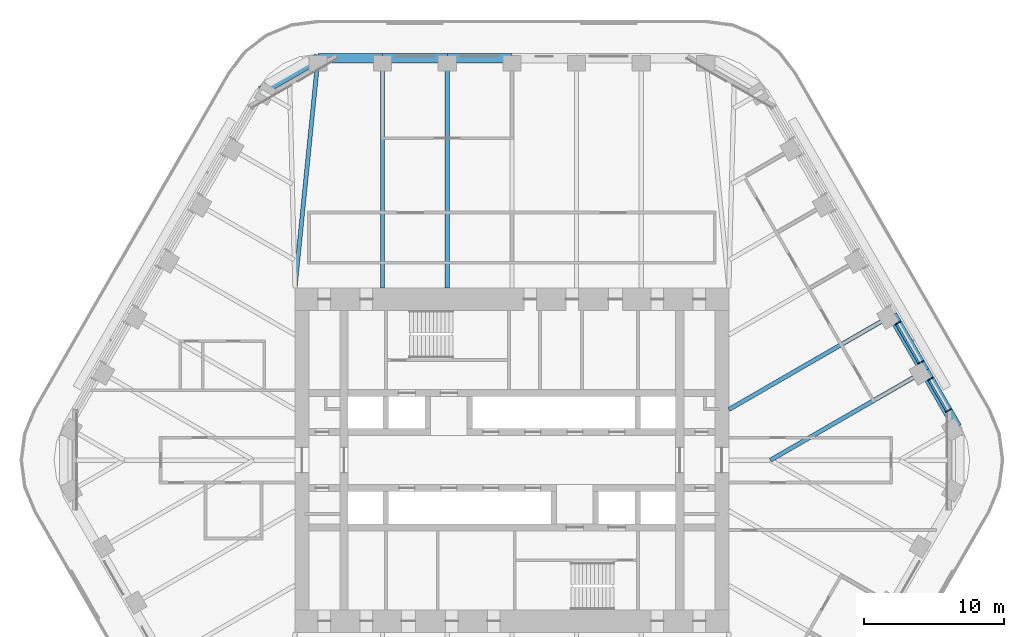
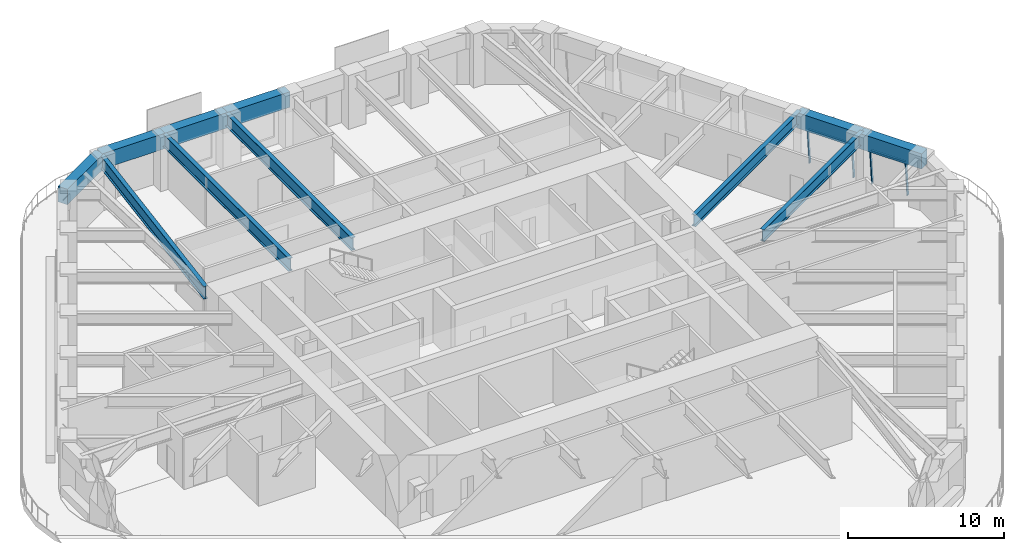
# One storey, part 9 of 20: 11 beams, 6 members, 2 elements without a shape of their own.
"""IFC4 building model written with IfcOpenShell, lengths in metres."""

from ifc_helpers import new_model, si_unit, direction, frame, origin, origin_2d, place, context, subcontext, project, spatial, rectangle, i_section, extrude, material, material_profile, profile_set, type_object, element, aggregate, save


model = new_model("IFC4")

# Units and contexts
model_context = context("Model", 3, precision=1e-05, world=origin(), true_north=direction((0.0, 1.0)))
body_context = subcontext(model_context, "Body", "Model", "MODEL_VIEW")
ifc_project = project(units=[si_unit("LENGTHUNIT", "METRE"), si_unit("AREAUNIT", "SQUARE_METRE"), si_unit("VOLUMEUNIT", "CUBIC_METRE"), si_unit("PLANEANGLEUNIT", "RADIAN"), si_unit("MASSUNIT", "GRAM", prefix="KILO")], contexts=[model_context])

# Site, building, storey
site_placement = place(None, origin())
site = spatial("IfcSite", under=ifc_project, at=site_placement, CompositionType="ELEMENT")
building_placement = place(site_placement, origin())
building = spatial("IfcBuilding", under=site, at=building_placement, Name="Tarfa Lantern Tower", CompositionType="ELEMENT")
storey_placement = place(building_placement, frame((0.0, 0.0, 236.5)))
storey = spatial("IfcBuildingStorey", under=building, at=storey_placement, Name="L53", CompositionType="ELEMENT", Elevation=236.5)

# Curtain wall, members
ifc_material_1 = material(Name="Aluminium framed curtain wall", Category="aluminium")
curtain_wall_type = type_object("IfcCurtainWallType", Name="CW3 CANTED GLAZING HIGH ZONE 2800", PredefinedType="USERDEFINED", material=ifc_material_1)
curtain_wall_1_placement = place(storey_placement, origin())
curtain_wall_1 = element("IfcCurtainWall", 1, at=curtain_wall_1_placement, inside=storey, type_object=curtain_wall_type, Name="CW3 NE L53", ObjectType="CURTAIN WALL", PredefinedType="USERDEFINED")
ifc_material_2 = material(Name="Aluminium mullion", Category="aluminium")
ifc_material_profile_1 = material_profile(ifc_material_2, rectangle(XDim=0.06494140625, YDim=0.199951171875, at=origin_2d()), Name="AL MULLION 65x200")
ifc_profile_set_1 = profile_set([ifc_material_profile_1], Name="Aluminium mullion")
member_type_1 = type_object("IfcMemberType", Name="CWM1 MULLION 65x200", PredefinedType="MULLION", material=ifc_profile_set_1)
member_1_placement = place(storey_placement, frame((31.2900390625, 3.60400390625, 0.0), z_axis=(-0.077032386753, -0.044465143199, 0.996036576854), x_axis=(0.499919672301, -0.866071776036, 0.0)))
member_1 = element("IfcMember", 2, at=member_1_placement, type_object=member_type_1, Name="CW3 mullion 1", PredefinedType="MULLION", context=body_context, shape_type="SweptSolid", body=[
    extrude(rectangle(XDim=0.06494140625, YDim=0.199951171875, at=origin_2d()), origin(), (0.0, 0.0, 1.0), 2.811279296875),
])
member_2_placement = place(storey_placement, frame((29.98828125, 5.85888671875, 0.0), z_axis=(-0.077032386753, -0.044465143199, 0.996036576854), x_axis=(0.499919672301, -0.866071776036, 0.0)))
member_2 = element("IfcMember", 3, at=member_2_placement, type_object=member_type_1, Name="CW3 mullion 2", PredefinedType="MULLION", context=body_context, shape_type="SweptSolid", body=[
    extrude(rectangle(XDim=0.06494140625, YDim=0.199951171875, at=origin_2d()), origin(), (0.0, 0.0, 1.0), 2.811279296875),
])

curtain_wall_2_placement = place(storey_placement, origin())
curtain_wall_2 = element("IfcCurtainWall", 4, at=curtain_wall_2_placement, inside=storey, type_object=curtain_wall_type, Name="CW3 NE L53", ObjectType="CURTAIN WALL", PredefinedType="USERDEFINED")
member_3_placement = place(storey_placement, frame((29.3056640625, 7.041015625, 0.0), z_axis=(-0.077032386753, -0.044465143199, 0.996036576854), x_axis=(0.499919672301, -0.866071776036, 0.0)))
member_3 = element("IfcMember", 5, at=member_3_placement, type_object=member_type_1, Name="CW3 mullion 1", PredefinedType="MULLION", context=body_context, shape_type="SweptSolid", body=[
    extrude(rectangle(XDim=0.06494140625, YDim=0.199951171875, at=origin_2d()), origin(), (0.0, 0.0, 1.0), 2.811279296875),
])
member_4_placement = place(storey_placement, frame((27.6787109375, 9.85888671875, 0.0), z_axis=(-0.077032386753, -0.044465143199, 0.996036576854), x_axis=(0.499919672301, -0.866071776036, 0.0)))
member_4 = element("IfcMember", 6, at=member_4_placement, type_object=member_type_1, Name="CW3 mullion 2", PredefinedType="MULLION", context=body_context, shape_type="SweptSolid", body=[
    extrude(rectangle(XDim=0.06494140625, YDim=0.199951171875, at=origin_2d()), origin(), (0.0, 0.0, 1.0), 2.811279296875),
])

# Member
ifc_material_3 = material(Name="Aluminium transom", Category="aluminium")
ifc_material_profile_2 = material_profile(ifc_material_3, rectangle(XDim=0.14990234375, YDim=0.06494140625, at=origin_2d()), Name="AL TRANSOM 150x65")
ifc_profile_set_2 = profile_set([ifc_material_profile_2], Name="Aluminium transom")
member_type_2 = type_object("IfcMemberType", Name="CWT1 TRANSOM 150x65", PredefinedType="USERDEFINED", material=ifc_profile_set_2)
member_5_placement = place(storey_placement, frame((31.059814453125, 3.508544921875, 2.767578125), z_axis=(-0.499955533855, 0.866051074803, 0.0), x_axis=(-0.866051074803, -0.499955533855, 0.0)))
member_5 = element("IfcMember", 7, at=member_5_placement, type_object=member_type_2, Name="CW3 transom 1.2", ObjectType="TRANSOM", PredefinedType="USERDEFINED", context=body_context, shape_type="SweptSolid", body=[
    extrude(rectangle(XDim=0.14990234375, YDim=0.06494140625, at=origin_2d()), origin(), (0.0, 0.0, 1.0), 2.538818359375),
])

aggregate(curtain_wall_1, [member_1, member_2, member_5])

member_6_placement = place(storey_placement, frame((29.075439453125, 6.945556640625, 2.767578125), z_axis=(-0.500000789788, 0.8660249478, 0.0), x_axis=(-0.8660249478, -0.500000789788, 0.0)))
member_6 = element("IfcMember", 8, at=member_6_placement, type_object=member_type_2, Name="CW3 transom 1.2", ObjectType="TRANSOM", PredefinedType="USERDEFINED", context=body_context, shape_type="SweptSolid", body=[
    extrude(rectangle(XDim=0.14990234375, YDim=0.06494140625, at=origin_2d()), origin(), (0.0, 0.0, 1.0), 3.18896484375),
])

aggregate(curtain_wall_2, [member_3, member_4, member_6])

# Beams
ifc_material_4 = material(Name="Concrete C80/95", Category="concrete")
ifc_material_profile_3 = material_profile(ifc_material_4, rectangle(XDim=0.699951171875, YDim=1.199951171875, at=origin_2d()), Name="RC 700x1200")
ifc_profile_set_3 = profile_set([ifc_material_profile_3], Name="Concrete C80/95")
beam_type_1 = type_object("IfcBeamType", Name="EB3 RC 700x1200", PredefinedType="SPANDREL", material=ifc_profile_set_3)
beam_1_placement = place(storey_placement, frame((31.800537109375, 2.360107421875, 3.39990234375), z_axis=(-0.500027479704, 0.866009537788, 0.0), x_axis=(-0.866009537788, -0.500027479704, 0.0)))
element("IfcBeam", 9, at=beam_1_placement, inside=storey, type_object=beam_type_1, Name="Edge beam NE0", PredefinedType="SPANDREL", context=body_context, shape_type="SweptSolid", body=[
    extrude(rectangle(XDim=0.699951171875, YDim=1.199951171875, at=origin_2d()), origin(), (0.0, 0.0, 1.0), 4.618896484375),
])
beam_2_placement = place(storey_placement, frame((29.490966796875, 6.360107421875, 3.39990234375), z_axis=(-0.499987836815, 0.866032426089, 0.0), x_axis=(-0.866032426089, -0.499987836815, 0.0)))
element("IfcBeam", 10, at=beam_2_placement, inside=storey, type_object=beam_type_1, Name="Edge beam NE1", PredefinedType="SPANDREL", context=body_context, shape_type="SweptSolid", body=[
    extrude(rectangle(XDim=0.699951171875, YDim=1.199951171875, at=origin_2d()), origin(), (0.0, 0.0, 1.0), 4.61865234375),
])
beam_3_placement = place(storey_placement, frame((0.0, 28.719970703125, 3.39990234375), z_axis=(-1.0, 0.0, 0.0), x_axis=(0.0, -1.0, 0.0)))
element("IfcBeam", 11, at=beam_3_placement, inside=storey, type_object=beam_type_1, Name="Edge beam N3", PredefinedType="SPANDREL", context=body_context, shape_type="SweptSolid", body=[
    extrude(rectangle(XDim=0.699951171875, YDim=1.199951171875, at=origin_2d()), origin(), (0.0, 0.0, 1.0), 4.618896484375),
])
beam_4_placement = place(storey_placement, frame((-4.618896484375, 28.719970703125, 3.39990234375), z_axis=(-1.0, 0.0, 0.0), x_axis=(0.0, -1.0, 0.0)))
element("IfcBeam", 12, at=beam_4_placement, inside=storey, type_object=beam_type_1, Name="Edge beam N4", PredefinedType="SPANDREL", context=body_context, shape_type="SweptSolid", body=[
    extrude(rectangle(XDim=0.699951171875, YDim=1.199951171875, at=origin_2d()), origin(), (0.0, 0.0, 1.0), 4.61865234375),
])
beam_5_placement = place(storey_placement, frame((-9.237548828125, 28.719970703125, 3.39990234375), z_axis=(-1.0, 0.0, 0.0), x_axis=(0.0, -1.0, 0.0)))
element("IfcBeam", 13, at=beam_5_placement, inside=storey, type_object=beam_type_1, Name="Edge beam N5", PredefinedType="SPANDREL", context=body_context, shape_type="SweptSolid", body=[
    extrude(rectangle(XDim=0.699951171875, YDim=1.199951171875, at=origin_2d()), origin(), (0.0, 0.0, 1.0), 4.618896484375),
])
beam_6_placement = place(storey_placement, frame((-13.8564453125, 28.719970703125, 3.39990234375), z_axis=(-0.866038294681, -0.499977671647, 0.0), x_axis=(0.499977671647, -0.866038294681, 0.0)))
element("IfcBeam", 14, at=beam_6_placement, inside=storey, type_object=beam_type_1, Name="Edge beam N6", PredefinedType="SPANDREL", context=body_context, shape_type="SweptSolid", body=[
    extrude(rectangle(XDim=0.699951171875, YDim=1.199951171875, at=origin_2d()), origin(), (0.0, 0.0, 1.0), 4.719970703125),
])
ifc_material_5 = material(Name="Steel S460M", Category="steel")
ifc_material_profile_4 = material_profile(ifc_material_5, i_section(OverallWidth=0.302001953125, OverallDepth=1.008056640625, WebThickness=0.02099609375, FlangeThickness=0.0400390625, FilletRadius=0.030029296875, at=origin_2d()), Name="UB1016x305x349")
ifc_profile_set_4 = profile_set([ifc_material_profile_4], Name="Steel S460M")
beam_type_2 = type_object("IfcBeamType", Name="UB1016x305x349", PredefinedType="BEAM", material=ifc_profile_set_4)
for number, where, z_axis, x_axis, name in (
    (15, (-4.618896484375, 28.719970703125, 3.495849609375), (0.0, -1.0, 0.0), (1.0, 0.0, 0.0), "Floor beam N4"),
    (16, (-9.237548828125, 28.719970703125, 3.495849609375), (0.0, -1.0, 0.0), (1.0, 0.0, 0.0), "Floor beam N5"),
):
    element("IfcBeam", number, at=place(storey_placement, frame(where, z_axis=z_axis, x_axis=x_axis)), inside=storey, type_object=beam_type_2, Name=name, PredefinedType="BEAM", context=body_context, shape_type="SweptSolid", body=[
        extrude(i_section(OverallWidth=0.302001953125, OverallDepth=1.008056640625, WebThickness=0.02099609375, FlangeThickness=0.0400390625, FilletRadius=0.030029296875, at=origin_2d()), origin(), (0.0, 0.0, 1.0), 16.419921875),
    ])
beam_7_placement = place(storey_placement, frame((-13.8564453125, 28.719970703125, 3.495849609375), z_axis=(-0.099597466746, -0.995027810977, 0.0), x_axis=(0.995027810977, -0.099597466746, 0.0)))
element("IfcBeam", 17, at=beam_7_placement, inside=storey, type_object=beam_type_2, Name="Floor beam N6", PredefinedType="BEAM", context=body_context, shape_type="SweptSolid", body=[
    extrude(i_section(OverallWidth=0.302001953125, OverallDepth=1.008056640625, WebThickness=0.02099609375, FlangeThickness=0.0400390625, FilletRadius=0.030029296875, at=origin_2d()), origin(), (0.0, 0.0, 1.0), 16.501953125),
])
ifc_material_profile_5 = material_profile(ifc_material_5, i_section(OverallWidth=0.305419921875, OverallDepth=0.91845703125, WebThickness=0.017333984375, FlangeThickness=0.02783203125, FilletRadius=0.01904296875, at=origin_2d()), Name="UB914x305x253")
ifc_profile_set_5 = profile_set([ifc_material_profile_5], Name="Steel S460M")
beam_type_3 = type_object("IfcBeamType", Name="UB914x305x253", PredefinedType="BEAM", material=ifc_profile_set_5)
beam_8_placement = place(storey_placement, frame((29.490966796875, 6.360107421875, 3.540771484375), z_axis=(-0.866022258038, -0.500005448553, 0.0), x_axis=(0.500005448553, -0.866022258038, 0.0)))
element("IfcBeam", 18, at=beam_8_placement, inside=storey, type_object=beam_type_3, Name="Floor beam NE1", PredefinedType="BEAM", context=body_context, shape_type="SweptSolid", body=[
    extrude(i_section(OverallWidth=0.305419921875, OverallDepth=0.91845703125, WebThickness=0.017333984375, FlangeThickness=0.02783203125, FilletRadius=0.01904296875, at=origin_2d()), origin(), (0.0, 0.0, 1.0), 12.719970703125),
])
beam_9_placement = place(storey_placement, frame((27.181640625, 10.360107421875, 3.540771484375), z_axis=(-0.866018002818, -0.500012818631, 0.0), x_axis=(0.500012818631, -0.866018002818, 0.0)))
element("IfcBeam", 19, at=beam_9_placement, inside=storey, type_object=beam_type_3, Name="Floor beam NE2", PredefinedType="BEAM", context=body_context, shape_type="SweptSolid", body=[
    extrude(i_section(OverallWidth=0.305419921875, OverallDepth=0.91845703125, WebThickness=0.017333984375, FlangeThickness=0.02783203125, FilletRadius=0.01904296875, at=origin_2d()), origin(), (0.0, 0.0, 1.0), 13.489013671875),
])

save(model, "model.ifc")
